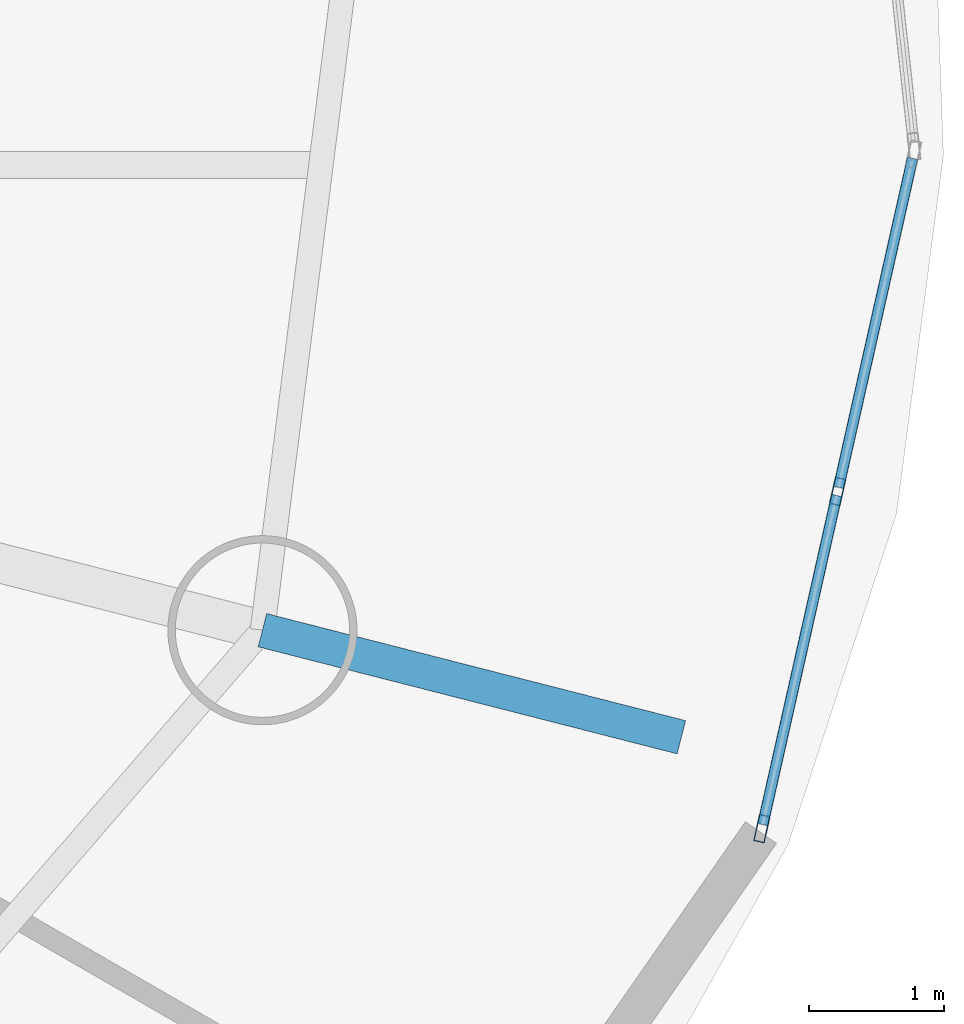
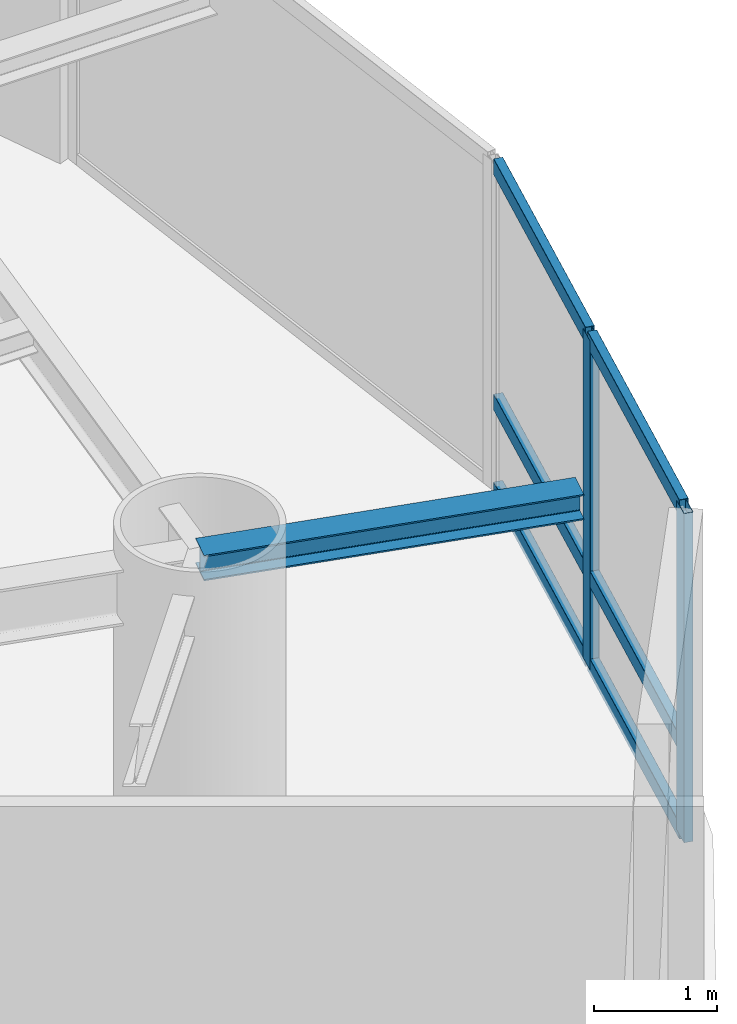
# One storey, part 8 of 22: 8 members, 1 beam, 1 element without a shape of its own.
"""IFC4 building model written with IfcOpenShell, lengths in metres."""

from ifc_helpers import new_model, si_unit, direction, frame, origin, origin_2d, place, context, subcontext, project, spatial, hollow_rectangle, i_section, extrude, material, layer, layer_set, material_profile, profile_set, type_object, element, aggregate, save


model = new_model("IFC4")

# Units and contexts
model_context = context("Model", 3, precision=1e-05, world=origin(), true_north=direction((0.0, 1.0)))
body_context = subcontext(model_context, "Body", "Model", "MODEL_VIEW")
ifc_project = project(units=[si_unit("LENGTHUNIT", "METRE"), si_unit("AREAUNIT", "SQUARE_METRE"), si_unit("VOLUMEUNIT", "CUBIC_METRE"), si_unit("PLANEANGLEUNIT", "RADIAN"), si_unit("MASSUNIT", "GRAM", prefix="KILO")], contexts=[model_context])

# Site, building, storey
site_placement = place(None, origin())
site = spatial("IfcSite", under=ifc_project, at=site_placement, CompositionType="ELEMENT")
building_placement = place(site_placement, origin())
building = spatial("IfcBuilding", under=site, at=building_placement, Name="Bramvorn Convention Spire", CompositionType="ELEMENT")
storey_placement = place(building_placement, frame((0.0, 0.0, 127.300048828125)))
storey = spatial("IfcBuildingStorey", under=building, at=storey_placement, Name="L31", CompositionType="ELEMENT", Elevation=127.300048828125)

# Beam
ifc_material_1 = material(Name="Steel CSA G40.21 Grade 350 (350W)", Category="steel")
ifc_material_profile_1 = material_profile(ifc_material_1, i_section(OverallWidth=0.25390625, OverallDepth=0.2529296875, WebThickness=0.008544921875, FlangeThickness=0.01416015625, FilletRadius=0.011962890625, at=origin_2d()))
ifc_profile_set_1 = profile_set([ifc_material_profile_1], Name="Steel CSA G40.21 Grade 350 (350W) - W250X73")
beam_type = type_object("IfcBeamType", Name="BM-W250X73", PredefinedType="BEAM", material=ifc_profile_set_1)
beam_placement = place(storey_placement, frame((62.11767578125, 15.26220703125, 3.133544921875), z_axis=(0.968868276357, -0.24757678217, 0.0), x_axis=(0.24757678217, 0.968868276357, 0.0)))
element("IfcBeam", 1, at=beam_placement, inside=storey, type_object=beam_type, Name="L31 slab-edge cantilever tip beam MC01", PredefinedType="BEAM", context=body_context, shape_type="SweptSolid", body=[
    extrude(i_section(OverallWidth=0.25390625, OverallDepth=0.2529296875, WebThickness=0.008544921875, FlangeThickness=0.01416015625, FilletRadius=0.011962890625, at=origin_2d()), origin(), (0.0, 0.0, 1.0), 3.199951171875),
])

# Curtain wall, members
ifc_material_2 = material(Name="Anodised Bronze Unitised Curtain Wall", Category="aluminium")
ifc_layer = layer(ifc_material_2, 0.179931640625)
ifc_layer_set = layer_set([ifc_layer], Name="Anodised Bronze Unitised Curtain Wall - CW-HTL-FRIT")
curtain_wall_type = type_object("IfcCurtainWallType", Name="CW-HTL-FRIT", PredefinedType="USERDEFINED", material=ifc_layer_set)
curtain_wall_placement = place(storey_placement, origin())
curtain_wall = element("IfcCurtainWall", 2, at=curtain_wall_placement, inside=storey, type_object=curtain_wall_type, Name="L31 fritted glass curtain wall 01", ObjectType="UNITISED CURTAIN WALL", PredefinedType="USERDEFINED")
ifc_material_3 = material(Name="Anodised Bronze Aluminium 6063-T6", Category="aluminium")
ifc_material_profile_2 = material_profile(ifc_material_3, hollow_rectangle(XDim=0.080078125, YDim=0.199951171875, WallThickness=0.00390625, InnerFilletRadius=0.0009765625, OuterFilletRadius=0.00390625, at=origin_2d()))
ifc_profile_set_2 = profile_set([ifc_material_profile_2], Name="Anodised Bronze Aluminium 6063-T6 - CWM80X200")
member_type_1 = type_object("IfcMemberType", Name="CW-MUL-180", PredefinedType="MULLION", material=ifc_profile_set_2)
member_1_placement = place(storey_placement, frame((66.374755859375, 16.288818359375, 0.0), z_axis=(0.0, 0.0, 1.0), x_axis=(0.975645647742, -0.219352615765, 0.0)))
member_1 = element("IfcMember", 3, at=member_1_placement, type_object=member_type_1, Name="CW2 mullion 2", PredefinedType="MULLION", context=body_context, shape_type="SweptSolid", body=[
    extrude(hollow_rectangle(XDim=0.080078125, YDim=0.199951171875, WallThickness=0.00390625, InnerFilletRadius=0.0009765625, OuterFilletRadius=0.00390625, at=origin_2d()), origin(), (0.0, 0.0, 1.0), 3.260009765625),
])
member_2_placement = place(storey_placement, frame((65.813720703125, 13.7939453125, 0.0), z_axis=(0.0, 0.0, 1.0), x_axis=(0.975645647742, -0.219352615765, 0.0)))
member_2 = element("IfcMember", 4, at=member_2_placement, type_object=member_type_1, Name="CW2 mullion 3", PredefinedType="MULLION", context=body_context, shape_type="SweptSolid", body=[
    extrude(hollow_rectangle(XDim=0.080078125, YDim=0.199951171875, WallThickness=0.00390625, InnerFilletRadius=0.0009765625, OuterFilletRadius=0.00390625, at=origin_2d()), origin(), (0.0, 0.0, 1.0), 3.260009765625),
])
ifc_material_profile_3 = material_profile(ifc_material_3, hollow_rectangle(XDim=0.080078125, YDim=0.159912109375, WallThickness=0.00390625, InnerFilletRadius=0.0009765625, OuterFilletRadius=0.00390625, at=origin_2d()))
ifc_profile_set_3 = profile_set([ifc_material_profile_3], Name="Anodised Bronze Aluminium 6063-T6 - CWT80X160")
member_type_2 = type_object("IfcMemberType", Name="CW-TRN-150", PredefinedType="USERDEFINED", material=ifc_profile_set_3)
member_3_placement = place(storey_placement, frame((66.928955078125, 18.75439453125, 0.030029296875), z_axis=(-0.219300478684, -0.975657368162, 0.0), x_axis=(0.975657368162, -0.219300478684, 0.0)))
member_3 = element("IfcMember", 5, at=member_3_placement, type_object=member_type_2, Name="CW2 transom 1.1", ObjectType="TRANSOM", PredefinedType="USERDEFINED", context=body_context, shape_type="SweptSolid", body=[
    extrude(hollow_rectangle(XDim=0.080078125, YDim=0.159912109375, WallThickness=0.00390625, InnerFilletRadius=0.0009765625, OuterFilletRadius=0.00390625, at=origin_2d()), origin(), (0.0, 0.0, 1.0), 2.4970703125),
])
member_4_placement = place(storey_placement, frame((66.928955078125, 18.75439453125, 0.89990234375), z_axis=(-0.219300478684, -0.975657368162, 0.0), x_axis=(0.975657368162, -0.219300478684, 0.0)))
member_4 = element("IfcMember", 6, at=member_4_placement, type_object=member_type_2, Name="CW2 transom 1.2", ObjectType="TRANSOM", PredefinedType="USERDEFINED", context=body_context, shape_type="SweptSolid", body=[
    extrude(hollow_rectangle(XDim=0.080078125, YDim=0.159912109375, WallThickness=0.00390625, InnerFilletRadius=0.0009765625, OuterFilletRadius=0.00390625, at=origin_2d()), origin(), (0.0, 0.0, 1.0), 2.4970703125),
])
member_5_placement = place(storey_placement, frame((66.928955078125, 18.75439453125, 3.22998046875), z_axis=(-0.219300478684, -0.975657368162, 0.0), x_axis=(0.975657368162, -0.219300478684, 0.0)))
member_5 = element("IfcMember", 7, at=member_5_placement, type_object=member_type_2, Name="CW2 transom 1.3", ObjectType="TRANSOM", PredefinedType="USERDEFINED", context=body_context, shape_type="SweptSolid", body=[
    extrude(hollow_rectangle(XDim=0.080078125, YDim=0.159912109375, WallThickness=0.00390625, InnerFilletRadius=0.0009765625, OuterFilletRadius=0.00390625, at=origin_2d()), origin(), (0.0, 0.0, 1.0), 2.4970703125),
])
member_6_placement = place(storey_placement, frame((66.3681640625, 16.259521484375, 0.030029296875), z_axis=(-0.219393544672, -0.975636444869, 0.0), x_axis=(0.975636444869, -0.219393544672, 0.0)))
member_6 = element("IfcMember", 8, at=member_6_placement, type_object=member_type_2, Name="CW2 transom 2.1", ObjectType="TRANSOM", PredefinedType="USERDEFINED", context=body_context, shape_type="SweptSolid", body=[
    extrude(hollow_rectangle(XDim=0.080078125, YDim=0.159912109375, WallThickness=0.00390625, InnerFilletRadius=0.0009765625, OuterFilletRadius=0.00390625, at=origin_2d()), origin(), (0.0, 0.0, 1.0), 2.4970703125),
])
member_7_placement = place(storey_placement, frame((66.3681640625, 16.259521484375, 0.89990234375), z_axis=(-0.219393544672, -0.975636444869, 0.0), x_axis=(0.975636444869, -0.219393544672, 0.0)))
member_7 = element("IfcMember", 9, at=member_7_placement, type_object=member_type_2, Name="CW2 transom 2.2", ObjectType="TRANSOM", PredefinedType="USERDEFINED", context=body_context, shape_type="SweptSolid", body=[
    extrude(hollow_rectangle(XDim=0.080078125, YDim=0.159912109375, WallThickness=0.00390625, InnerFilletRadius=0.0009765625, OuterFilletRadius=0.00390625, at=origin_2d()), origin(), (0.0, 0.0, 1.0), 2.4970703125),
])
member_8_placement = place(storey_placement, frame((66.3681640625, 16.259521484375, 3.22998046875), z_axis=(-0.219393544672, -0.975636444869, 0.0), x_axis=(0.975636444869, -0.219393544672, 0.0)))
member_8 = element("IfcMember", 10, at=member_8_placement, type_object=member_type_2, Name="CW2 transom 2.3", ObjectType="TRANSOM", PredefinedType="USERDEFINED", context=body_context, shape_type="SweptSolid", body=[
    extrude(hollow_rectangle(XDim=0.080078125, YDim=0.159912109375, WallThickness=0.00390625, InnerFilletRadius=0.0009765625, OuterFilletRadius=0.00390625, at=origin_2d()), origin(), (0.0, 0.0, 1.0), 2.4970703125),
])
aggregate(curtain_wall, [member_1, member_2, member_3, member_4, member_5, member_6, member_7, member_8])

save(model, "model.ifc")
